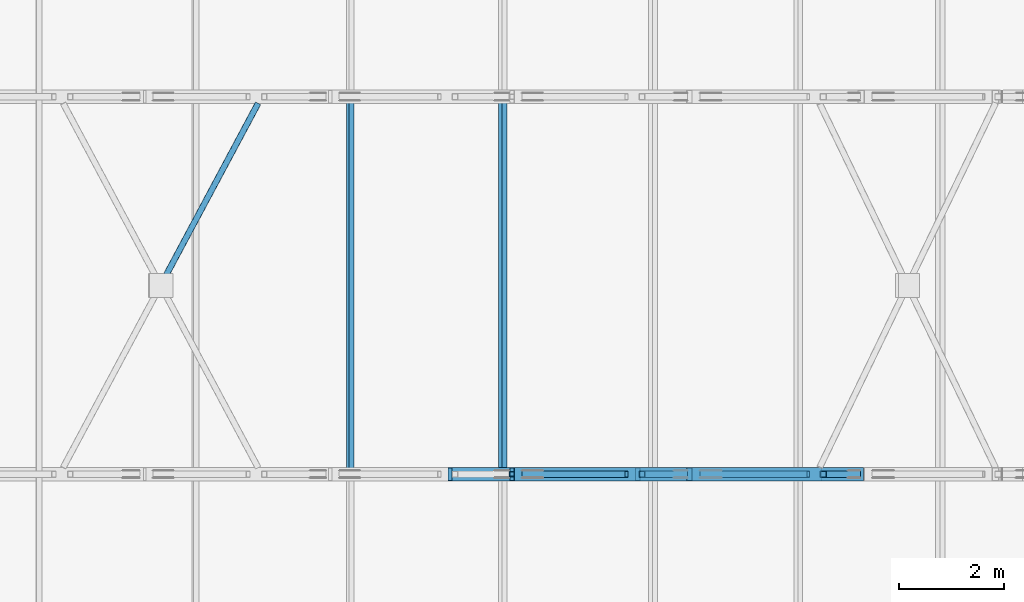
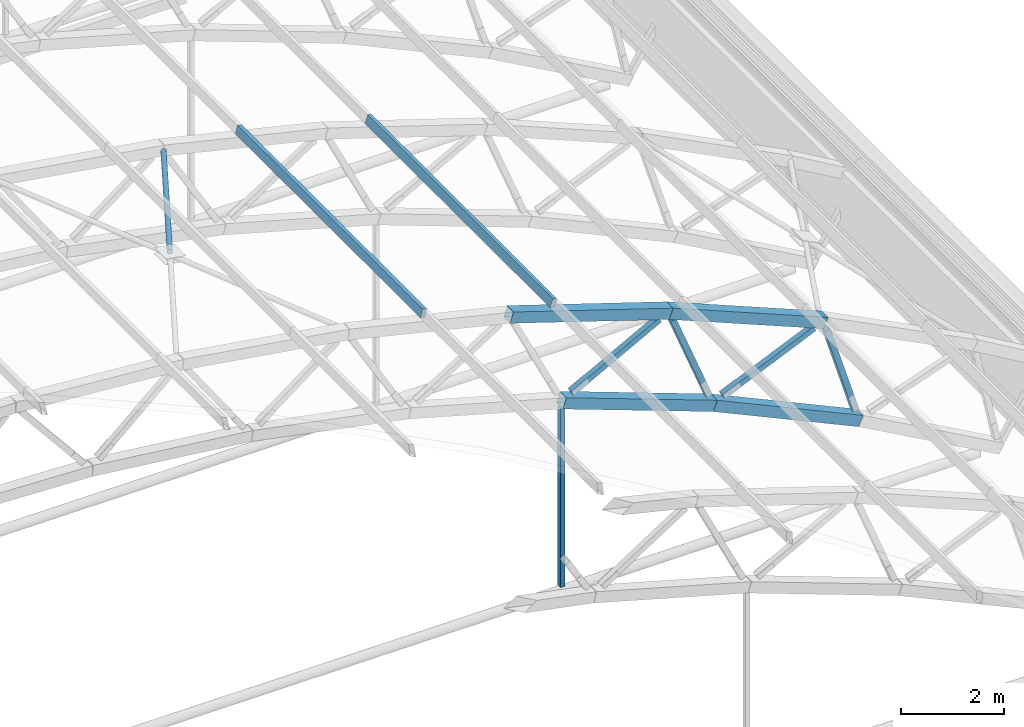
# One storey, part 59 of 127: 12 members.
"""IFC4 building model written with IfcOpenShell, lengths in metres."""

from ifc_helpers import new_model, si_unit, direction, frame, origin, origin_2d, place, context, subcontext, project, spatial, hollow_rectangle, hollow_circle, extrude, material, material_profile, profile_set, type_object, element, save


model = new_model("IFC4")

# Units and contexts
model_context = context("Model", 3, precision=1e-05, world=origin(), true_north=direction((0.0, 1.0)))
body_context = subcontext(model_context, "Body", "Model", "MODEL_VIEW")
ifc_project = project(units=[si_unit("LENGTHUNIT", "METRE"), si_unit("AREAUNIT", "SQUARE_METRE"), si_unit("VOLUMEUNIT", "CUBIC_METRE"), si_unit("PLANEANGLEUNIT", "RADIAN"), si_unit("MASSUNIT", "GRAM", prefix="KILO")], contexts=[model_context])

# Site, building, storey
site_placement = place(None, origin())
site = spatial("IfcSite", under=ifc_project, at=site_placement, CompositionType="ELEMENT")
building_placement = place(site_placement, origin())
building = spatial("IfcBuilding", under=site, at=building_placement, Name="Verrick Yard Athletic Hall", CompositionType="ELEMENT")
storey_placement = place(building_placement, frame((0.0, 0.0, 14.0)))
storey = spatial("IfcBuildingStorey", under=building, at=storey_placement, Name="L03", CompositionType="ELEMENT", Elevation=14.0)

# Members
ifc_material = material(Name="Structural steel HSS Class C 350W (CSA G40.20/G40.21)", Category="steel")
ifc_material_profile_1 = material_profile(ifc_material, hollow_rectangle(XDim=0.25390625, YDim=0.25390625, WallThickness=0.009521484375, at=origin_2d()), Name="HSS254x254x9.5")
ifc_profile_set_1 = profile_set([ifc_material_profile_1], Name="Structural steel HSS Class C 350W (CSA G40.20/G40.21)")
member_type_1 = type_object("IfcMemberType", Name="HB bottom chord HSS254x254x9.5", PredefinedType="CHORD", material=ifc_profile_set_1)
member_1_placement = place(storey_placement, frame((159.797119140625, 86.39990234375, 4.51123046875), z_axis=(0.938394107905, 0.0, -0.345566922966), x_axis=(0.0, 1.0, 0.0)))
element("IfcMember", 1, at=member_1_placement, inside=storey, type_object=member_type_1, Name="Truss TA3 bottom chord 12", PredefinedType="CHORD", context=body_context, shape_type="SweptSolid", body=[
    extrude(hollow_rectangle(XDim=0.25390625, YDim=0.25390625, WallThickness=0.009521484375, at=origin_2d()), origin(), (0.0, 0.0, 1.0), 3.595947265625),
])
member_2_placement = place(storey_placement, frame((163.180908203125, 86.39990234375, 3.2646484375), z_axis=(0.908445597889, 0.0, -0.418003104865), x_axis=(0.0, 1.0, 0.0)))
element("IfcMember", 2, at=member_2_placement, inside=storey, type_object=member_type_1, Name="Truss TA3 bottom chord 13", PredefinedType="CHORD", context=body_context, shape_type="SweptSolid", body=[
    extrude(hollow_rectangle(XDim=0.25390625, YDim=0.25390625, WallThickness=0.009521484375, at=origin_2d()), origin(), (0.0, 0.0, 1.0), 3.59619140625),
])
ifc_material_profile_2 = material_profile(ifc_material, hollow_rectangle(XDim=0.1015625, YDim=0.203125, WallThickness=0.009521484375, at=origin_2d()), Name="HSS203x102x9.5")
ifc_profile_set_2 = profile_set([ifc_material_profile_2], Name="Structural steel HSS Class C 350W (CSA G40.20/G40.21)")
member_type_2 = type_object("IfcMemberType", Name="HB purlin HSS203x102x9.5", PredefinedType="PURLIN", material=ifc_profile_set_2)
for number, where, z_axis, x_axis, name in (
    (3, (156.70703125, 86.39990234375, 7.651611328125), (0.0, 1.0, 0.0), (-0.972458956474, 0.0, 0.23307418985), "HB-PU-A-3-13"),
    (4, (159.62060546875, 86.39990234375, 6.872802734375), (0.0, 1.0, 0.0), (-0.951213620533, 0.0, 0.308533058379), "HB-PU-A-3-14"),
):
    element("IfcMember", number, at=place(storey_placement, frame(where, z_axis=z_axis, x_axis=x_axis)), inside=storey, type_object=member_type_2, Name=name, PredefinedType="PURLIN", context=body_context, shape_type="SweptSolid", body=[
        extrude(hollow_rectangle(XDim=0.1015625, YDim=0.203125, WallThickness=0.009521484375, at=origin_2d()), origin(), (0.0, 0.0, 1.0), 7.2001953125),
    ])
ifc_material_profile_3 = material_profile(ifc_material, hollow_circle(Radius=0.05712890625, WallThickness=0.00634765625, at=origin_2d()), Name="HSS114x6.4")
ifc_profile_set_3 = profile_set([ifc_material_profile_3], Name="Structural steel HSS Class C 350W (CSA G40.20/G40.21)")
member_type_3 = type_object("IfcMemberType", Name="HB roof brace HSS114x6.4", PredefinedType="BRACE", material=ifc_profile_set_3)
member_3_placement = place(storey_placement, frame((153.140625, 90.0927734375, 8.123779296875), z_axis=(0.470520782895, 0.879249593627, -0.074366289212), x_axis=(-0.881691001461, 0.471827275538, 0.0)))
element("IfcMember", 5, at=member_3_placement, inside=storey, type_object=member_type_3, Name="HB-BR-A-3-8b2", PredefinedType="BRACE", context=body_context, shape_type="SweptSolid", body=[
    extrude(hollow_circle(Radius=0.05712890625, WallThickness=0.00634765625, at=origin_2d()), origin(), (0.0, 0.0, 1.0), 3.84423828125),
])
ifc_material_profile_4 = material_profile(ifc_material, hollow_rectangle(XDim=0.25390625, YDim=0.25390625, WallThickness=0.009521484375, at=origin_2d()), Name="HSS254x254x9.5")
ifc_profile_set_4 = profile_set([ifc_material_profile_4], Name="Structural steel HSS Class C 350W (CSA G40.20/G40.21)")
member_type_4 = type_object("IfcMemberType", Name="HB top chord HSS254x254x9.5", PredefinedType="CHORD", material=ifc_profile_set_4)
for number, where, z_axis, x_axis, name in (
    (6, (158.61328125, 86.39990234375, 6.959228515625), (0.951208887206, 0.0, -0.308547650938), (0.0, 1.0, 0.0), "Truss TA3 top chord 12"),
    (7, (162.1923828125, 86.39990234375, 5.7978515625), (0.924139625494, 0.0, -0.382054907823), (0.0, 1.0, 0.0), "Truss TA3 top chord 13"),
):
    element("IfcMember", number, at=place(storey_placement, frame(where, z_axis=z_axis, x_axis=x_axis)), inside=storey, type_object=member_type_4, Name=name, PredefinedType="CHORD", context=body_context, shape_type="SweptSolid", body=[
        extrude(hollow_rectangle(XDim=0.25390625, YDim=0.25390625, WallThickness=0.009521484375, at=origin_2d()), origin(), (0.0, 0.0, 1.0), 3.7529296875),
    ])
ifc_material_profile_5 = material_profile(ifc_material, hollow_rectangle(XDim=0.1015625, YDim=0.1015625, WallThickness=0.00634765625, at=origin_2d()), Name="HSS102x102x6.4")
ifc_profile_set_5 = profile_set([ifc_material_profile_5], Name="Structural steel HSS Class C 350W (CSA G40.20/G40.21)")
member_type_5 = type_object("IfcMemberType", Name="HB truss hanger HSS102x102x6.4", PredefinedType="MEMBER", material=ifc_profile_set_5)
member_4_placement = place(storey_placement, frame((159.79248046875, 86.39990234375, 4.35888671875), z_axis=(0.0, 0.0, -1.0), x_axis=(0.0, -1.0, 0.0)))
element("IfcMember", 8, at=member_4_placement, inside=storey, type_object=member_type_5, Name="Truss TA3 hanger 3", PredefinedType="MEMBER", context=body_context, shape_type="SweptSolid", body=[
    extrude(hollow_rectangle(XDim=0.1015625, YDim=0.1015625, WallThickness=0.00634765625, at=origin_2d()), origin(), (0.0, 0.0, 1.0), 4.249267578125),
])
ifc_material_profile_6 = material_profile(ifc_material, hollow_rectangle(XDim=0.126953125, YDim=0.126953125, WallThickness=0.009521484375, at=origin_2d()), Name="HSS127x127x9.5")
ifc_profile_set_6 = profile_set([ifc_material_profile_6], Name="Structural steel HSS Class C 350W (CSA G40.20/G40.21)")
member_type_6 = type_object("IfcMemberType", Name="HB truss web HSS127x127x9.5", PredefinedType="BRACE", material=ifc_profile_set_6)
for number, where, z_axis, x_axis, name in (
    (9, (160.01171875, 86.39990234375, 4.630615234375), (0.880902446091, 0.0, 0.473297877103), (0.0, 1.0, 0.0), "Truss TA3 web 23"),
    (10, (162.27392578125, 86.39990234375, 5.579345703125), (0.363537858519, 0.0, -0.931579425183), (0.0, 1.0, 0.0), "Truss TA3 web 24"),
    (11, (163.404052734375, 86.39990234375, 3.366943359375), (0.915297302882, 0.0, 0.402778906272), (0.0, 1.0, 0.0), "Truss TA3 web 25"),
    (12, (165.733642578125, 86.39990234375, 4.135498046875), (0.289543214815, 0.0, -0.957164942293), (0.0, 1.0, 0.0), "Truss TA3 web 26"),
):
    element("IfcMember", number, at=place(storey_placement, frame(where, z_axis=z_axis, x_axis=x_axis)), inside=storey, type_object=member_type_6, Name=name, PredefinedType="BRACE", context=body_context, shape_type="SweptSolid", body=[
        extrude(hollow_rectangle(XDim=0.126953125, YDim=0.126953125, WallThickness=0.009521484375, at=origin_2d()), origin(), (0.0, 0.0, 1.0), 2.233642578125),
    ])

save(model, "model.ifc")
